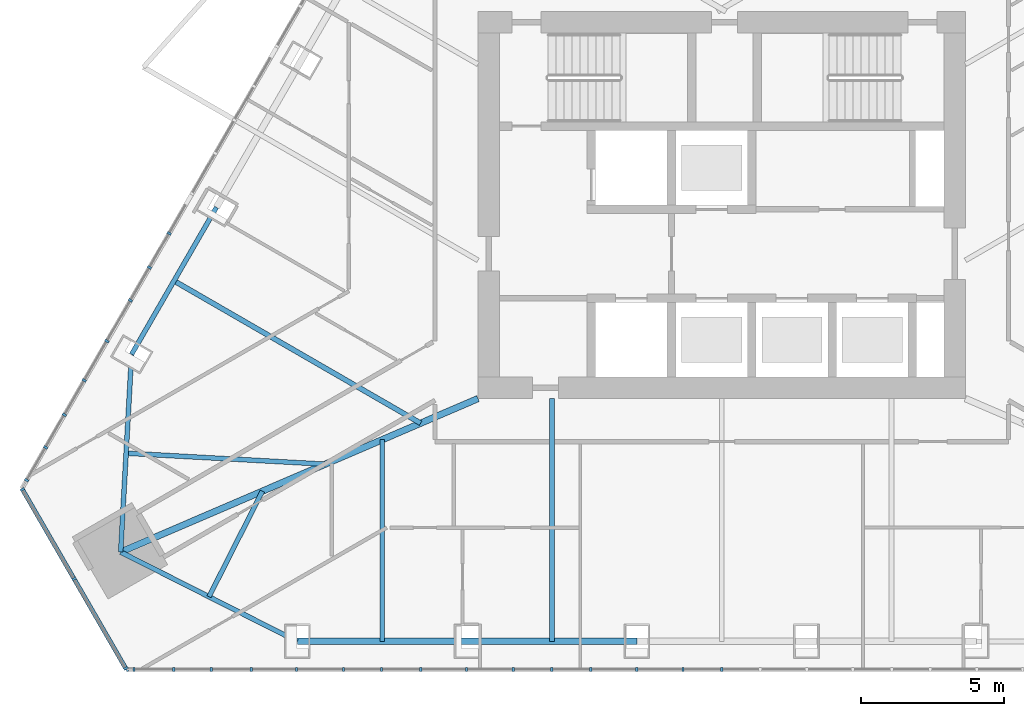
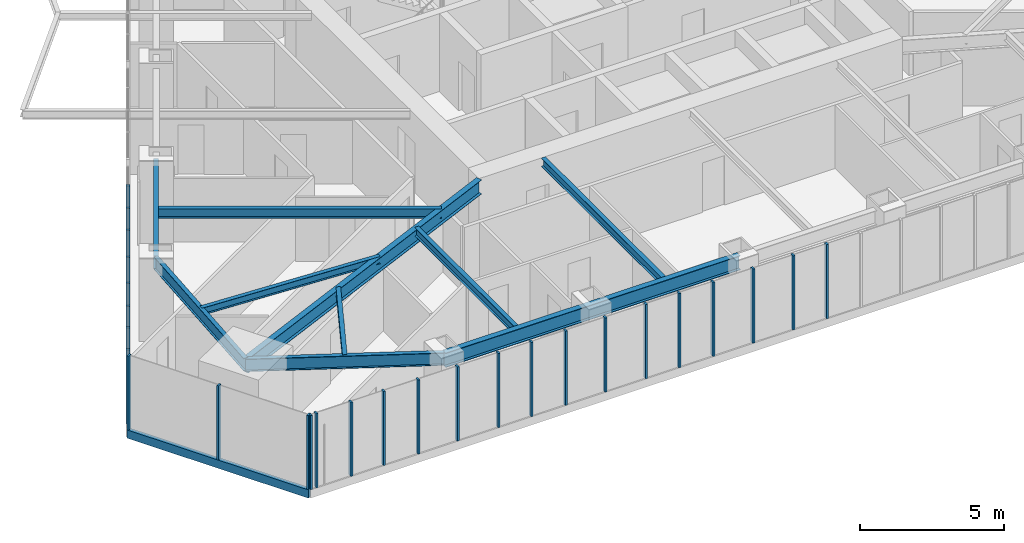
# One storey, part 2 of 19: 28 members, 10 beams, 3 elements without a shape of their own.
"""IFC4 building model written with IfcOpenShell, lengths in metres."""

import ifcopenshell
import ifcopenshell.guid

model = None  # the IFC model being written
_history = None  # IfcOwnerHistory: only IFC2X3 demands one
_inside = {}  # id of a spatial element -> (the spatial element, [elements in it])
_under = {}  # id of a project, library or spatial element -> (it, [spatial elements below it])
_declared = {}  # id of a project -> (the project, [libraries it declares])
_typed = {}  # id of a type object -> (the type object, [elements of that type])
_made_of = {}  # id of a material, layer set ... -> (it, [elements and type objects made of it])


def new_model(schema):
    """Start an empty IFC model of exactly this schema.

    Asked for "IFC4X3", IfcOpenShell would pick the latest addendum, in which some entities
    have other attributes; the version numbers below select the first issue.
    IFC2X3 requires an IfcOwnerHistory on every rooted entity: one is made here for all.
    """
    global model, _history
    if schema == "IFC4X3":
        model = ifcopenshell.file(schema_version=(4, 3, 0, 0))
    else:
        model = ifcopenshell.file(schema=schema)
    _inside.clear()
    _under.clear()
    _declared.clear()
    _typed.clear()
    _made_of.clear()
    _history = None
    if model.schema == "IFC2X3":
        org = make("IfcOrganization", Name="unknown")
        user = make(
            "IfcPersonAndOrganization",
            ThePerson=make("IfcPerson", FamilyName="unknown"),
            TheOrganization=org,
        )
        app = make(
            "IfcApplication",
            ApplicationDeveloper=org,
            Version="unknown",
            ApplicationFullName="unknown",
            ApplicationIdentifier="unknown",
        )
        _history = make(
            "IfcOwnerHistory",
            OwningUser=user,
            OwningApplication=app,
            ChangeAction="ADDED",
            CreationDate=0,
        )
    return model


def make(cls, **values):
    """One entity of the class cls with the attributes given. An attribute that is None is left unset."""
    return model.create_entity(
        cls, **{name: value for name, value in values.items() if value is not None}
    )


def rooted(cls, **values):
    """An entity with a GlobalId (a new one), such as an element, a storey or a relation."""
    return make(cls, GlobalId=ifcopenshell.guid.new(), OwnerHistory=_history, **values)


def si_unit(unit_type, name, prefix=None):
    """IfcSIUnit, for example si_unit("LENGTHUNIT", "METRE", prefix="MILLI")."""
    return make("IfcSIUnit", UnitType=unit_type, Prefix=prefix, Name=name)


def assignment(units):
    """IfcUnitAssignment: the units of a project."""
    return None if units is None else make("IfcUnitAssignment", Units=units)


def point(xyz):
    """IfcCartesianPoint."""
    return None if xyz is None else make("IfcCartesianPoint", Coordinates=xyz)


def direction(xyz):
    """IfcDirection."""
    return None if xyz is None else make("IfcDirection", DirectionRatios=xyz)


def frame(location, z_axis=None, x_axis=None):
    """IfcAxis2Placement3D, a coordinate frame: its origin and axes. An axis left out is left unset."""
    return make(
        "IfcAxis2Placement3D",
        Location=point(location),
        Axis=direction(z_axis),
        RefDirection=direction(x_axis),
    )


def frame_2d(location, x_axis=None):
    """IfcAxis2Placement2D, a coordinate frame in the plane: its origin and x axis."""
    return make(
        "IfcAxis2Placement2D", Location=point(location), RefDirection=direction(x_axis)
    )


def origin():
    """The frame at (0, 0, 0) with its axes left unset."""
    return frame((0.0, 0.0, 0.0))


def origin_2d():
    """The frame at (0, 0) in the plane with its x axis left unset."""
    return frame_2d((0.0, 0.0))


def place(relative_to, where):
    """IfcLocalPlacement: puts the frame where relative to a parent placement (None: the world)."""
    return make(
        "IfcLocalPlacement", PlacementRelTo=relative_to, RelativePlacement=where
    )


def context(
    kind, dimensions, precision=None, world=None, true_north=None, identifier=None
):
    """IfcGeometricRepresentationContext, for example the 3D "Model" context."""
    return make(
        "IfcGeometricRepresentationContext",
        ContextIdentifier=identifier,
        ContextType=kind,
        CoordinateSpaceDimension=dimensions,
        Precision=precision,
        WorldCoordinateSystem=world,
        TrueNorth=true_north,
    )


def subcontext(parent, identifier, kind, view, scale=None):
    """IfcGeometricRepresentationSubContext, for example "Body" below "Model"."""
    return make(
        "IfcGeometricRepresentationSubContext",
        ContextIdentifier=identifier,
        ContextType=kind,
        ParentContext=parent,
        TargetScale=scale,
        TargetView=view,
    )


def project(units=None, contexts=None):
    """IfcProject with its units and contexts."""
    return rooted(
        "IfcProject",
        Name="project",
        RepresentationContexts=contexts,
        UnitsInContext=assignment(units),
    )


def spatial(cls, under=None, at=None, **own):
    """A site, building, storey or space (cls), placed at a placement, below another one or the project."""
    s = rooted(cls, ObjectPlacement=at, **own)
    if under is not None:
        _under.setdefault(under.id(), (under, []))[1].append(s)
    return s


def profile(cls, at=None, kind="AREA", **sizes):
    """A parametric profile (cls). Its sizes go by their IFC names, for example OverallWidth=200.0."""
    return make(cls, ProfileType=kind, Position=at, **sizes)


def rectangle(**sizes):
    """IfcRectangleProfileDef."""
    return profile("IfcRectangleProfileDef", **sizes)


def i_section(**sizes):
    """IfcIShapeProfileDef."""
    return profile("IfcIShapeProfileDef", **sizes)


def extrude(swept, where, along, depth):
    """IfcExtrudedAreaSolid: the profile swept, set in the frame where, extruded along a direction by depth."""
    return make(
        "IfcExtrudedAreaSolid",
        SweptArea=swept,
        Position=where,
        ExtrudedDirection=direction(along),
        Depth=depth,
    )


def shape(context_of_items, identifier, shape_type, items):
    """IfcShapeRepresentation: the items that make up one representation, for example the "Body"."""
    return make(
        "IfcShapeRepresentation",
        ContextOfItems=context_of_items,
        RepresentationIdentifier=identifier,
        RepresentationType=shape_type,
        Items=items,
    )


def material(Name=None, Category=None):
    """IfcMaterial."""
    return make("IfcMaterial", Name=Name, Category=Category)


def layer(
    of_material, thickness, ventilated=None, Name=None, Category=None, Priority=None
):
    """IfcMaterialLayer: one layer of a wall or slab, of a material (None: an air gap)."""
    return make(
        "IfcMaterialLayer",
        Material=of_material,
        LayerThickness=thickness,
        IsVentilated=ventilated,
        Name=Name,
        Category=Category,
        Priority=Priority,
    )


def layer_set(layers, Name=None):
    """IfcMaterialLayerSet."""
    return make("IfcMaterialLayerSet", MaterialLayers=layers, LayerSetName=Name)


def material_profile(
    of_material, cross_section, Name=None, Category=None, Priority=None
):
    """IfcMaterialProfile: a cross section and its material."""
    return make(
        "IfcMaterialProfile",
        Name=Name,
        Material=of_material,
        Profile=cross_section,
        Priority=Priority,
        Category=Category,
    )


def profile_set(profiles, Name=None, composite=None):
    """IfcMaterialProfileSet."""
    return make(
        "IfcMaterialProfileSet",
        Name=Name,
        MaterialProfiles=profiles,
        CompositeProfile=composite,
    )


def made_of(thing, what):
    """Note that an element or type object is made of a material, layer set ...; save() writes the relation."""
    if what is not None:
        _made_of.setdefault(what.id(), (what, []))[1].append(thing)
    return thing


def type_object(cls, material=None, **own):
    """A type object (cls), such as IfcWallType, which elements share."""
    return made_of(rooted(cls, **own), material)


def element(
    cls,
    number,
    at=None,
    inside=None,
    cuts=None,
    type_object=None,
    material=None,
    context=None,
    identifier="Body",
    shape_type=None,
    held_by="IfcProductDefinitionShape",
    body=None,
    shapes=None,
    **own,
):
    """One element of the class cls, such as IfcWall. Its Tag is "e" and its number.

    at: its placement. inside: the storey or other place that contains it. cuts: it is an
    opening in that element (IfcRelVoidsElement). A single representation is given by context,
    identifier, shape_type and body (its items); several are given by shapes. held_by: the class
    of the entity that holds the representations. save() writes the other relations.
    """
    e = rooted(cls, Tag="e%d" % number, ObjectPlacement=at, **own)
    if body is not None:
        shapes = [shape(context, identifier, shape_type, body)]
    if shapes is not None:
        e.Representation = make(held_by, Representations=shapes)
    if inside is not None:
        _inside.setdefault(inside.id(), (inside, []))[1].append(e)
    if cuts is not None:
        rooted(
            "IfcRelVoidsElement", RelatingBuildingElement=cuts, RelatedOpeningElement=e
        )
    if type_object is not None:
        _typed.setdefault(type_object.id(), (type_object, []))[1].append(e)
    return made_of(e, material)


def aggregate(whole, parts):
    """IfcRelAggregates: a whole, such as a stair, and the parts it consists of."""
    return rooted("IfcRelAggregates", RelatingObject=whole, RelatedObjects=parts)


def save(model, path):
    """Write the relations noted so far, then the file.

    IfcRelAggregates (storeys below a building ...), IfcRelContainedInSpatialStructure (elements
    in a storey), IfcRelDefinesByType, IfcRelAssociatesMaterial and IfcRelDeclares: one each for
    every whole, place, type object, material and project.
    """
    for whole, parts in _under.values():
        aggregate(whole, parts)
    for where, things in _inside.values():
        rooted(
            "IfcRelContainedInSpatialStructure",
            RelatedElements=things,
            RelatingStructure=where,
        )
    for kind, things in _typed.values():
        rooted("IfcRelDefinesByType", RelatedObjects=things, RelatingType=kind)
    for what, things in _made_of.values():
        rooted("IfcRelAssociatesMaterial", RelatedObjects=things, RelatingMaterial=what)
    for by, libraries in _declared.values():
        rooted("IfcRelDeclares", RelatingContext=by, RelatedDefinitions=libraries)
    model.write(path)


model = new_model("IFC4")

# Units and contexts
model_context = context("Model", 3, precision=1e-05, world=origin(), true_north=direction((0.0, 1.0)))
body_context = subcontext(model_context, "Body", "Model", "MODEL_VIEW")
ifc_project = project(units=[si_unit("LENGTHUNIT", "METRE"), si_unit("AREAUNIT", "SQUARE_METRE"), si_unit("VOLUMEUNIT", "CUBIC_METRE"), si_unit("PLANEANGLEUNIT", "RADIAN"), si_unit("MASSUNIT", "GRAM", prefix="KILO")], contexts=[model_context])

# Site, building, storey
site_placement = place(None, origin())
site = spatial("IfcSite", under=ifc_project, at=site_placement, CompositionType="ELEMENT")
building_placement = place(site_placement, origin())
building = spatial("IfcBuilding", under=site, at=building_placement, Name="Firuza Gate Tower and Library", CompositionType="ELEMENT")
storey_placement = place(building_placement, frame((0.0, 0.0, 316.10009765625)))
storey = spatial("IfcBuildingStorey", under=building, at=storey_placement, Name="L77", CompositionType="ELEMENT", Elevation=316.10009765625)

# Curtain wall, members
ifc_material_1 = material(Name="Aluminium 6063-T6", Category="aluminium")
ifc_layer_1 = layer(ifc_material_1, 0.14990234375)
ifc_layer_set_1 = layer_set([ifc_layer_1], Name="Unitised curtain wall, residences")
curtain_wall_type_1 = type_object("IfcCurtainWallType", Name="Unitised curtain wall, residences", PredefinedType="NOTDEFINED", material=ifc_layer_set_1)
placement = place(storey_placement, origin())
curtain_wall_1 = element("IfcCurtainWall", 1, at=placement, inside=storey, type_object=curtain_wall_type_1, Name="CW3 L77 S face", PredefinedType="NOTDEFINED")
ifc_material_2 = material(Name="Aluminium 6063-T6", Category="aluminium")
ifc_material_profile_1 = material_profile(ifc_material_2, rectangle(XDim=0.14990234375, YDim=0.080078125, at=origin_2d()))
ifc_profile_set_1 = profile_set([ifc_material_profile_1], Name="Aluminium 6063-T6")
member_type_1 = type_object("IfcMemberType", Name="Curtain wall mullion 80x150", PredefinedType="MULLION", material=ifc_profile_set_1)
member_1_placement = place(storey_placement, frame((54.276611328125, 58.805419921875, 0.14990234375), z_axis=(0.0, 0.0, 1.0), x_axis=(0.0, 1.0, 0.0)))
member_1 = element("IfcMember", 2, at=member_1_placement, type_object=member_type_1, Name="Mullion", PredefinedType="MULLION", context=body_context, shape_type="SweptSolid", body=[
    extrude(rectangle(XDim=0.14990234375, YDim=0.080078125, at=origin_2d()), origin(), (0.0, 0.0, 1.0), 3.14990234375),
])
member_2_placement = place(storey_placement, frame((57.202880859375, 58.805419921875, 0.14990234375), z_axis=(0.0, 0.0, 1.0), x_axis=(0.0, 1.0, 0.0)))
member_2 = element("IfcMember", 3, at=member_2_placement, type_object=member_type_1, Name="Mullion", PredefinedType="MULLION", context=body_context, shape_type="SweptSolid", body=[
    extrude(rectangle(XDim=0.14990234375, YDim=0.080078125, at=origin_2d()), origin(), (0.0, 0.0, 1.0), 3.14990234375),
])
member_3_placement = place(storey_placement, frame((60.169189453125, 58.805419921875, 0.14990234375), z_axis=(0.0, 0.0, 1.0), x_axis=(0.0, 1.0, 0.0)))
member_3 = element("IfcMember", 4, at=member_3_placement, type_object=member_type_1, Name="Mullion", PredefinedType="MULLION", context=body_context, shape_type="SweptSolid", body=[
    extrude(rectangle(XDim=0.14990234375, YDim=0.080078125, at=origin_2d()), origin(), (0.0, 0.0, 1.0), 3.14990234375),
])
member_4_placement = place(storey_placement, frame((63.13525390625, 58.805419921875, 0.14990234375), z_axis=(0.0, 0.0, 1.0), x_axis=(0.0, 1.0, 0.0)))
member_4 = element("IfcMember", 5, at=member_4_placement, type_object=member_type_1, Name="Mullion", PredefinedType="MULLION", context=body_context, shape_type="SweptSolid", body=[
    extrude(rectangle(XDim=0.14990234375, YDim=0.080078125, at=origin_2d()), origin(), (0.0, 0.0, 1.0), 3.14990234375),
])
member_5_placement = place(storey_placement, frame((66.1015625, 58.805419921875, 0.14990234375), z_axis=(0.0, 0.0, 1.0), x_axis=(0.0, 1.0, 0.0)))
member_5 = element("IfcMember", 6, at=member_5_placement, type_object=member_type_1, Name="Mullion", PredefinedType="MULLION", context=body_context, shape_type="SweptSolid", body=[
    extrude(rectangle(XDim=0.14990234375, YDim=0.080078125, at=origin_2d()), origin(), (0.0, 0.0, 1.0), 3.14990234375),
])
member_6_placement = place(storey_placement, frame((69.067626953125, 58.805419921875, 0.14990234375), z_axis=(0.0, 0.0, 1.0), x_axis=(0.0, 1.0, 0.0)))
member_6 = element("IfcMember", 7, at=member_6_placement, type_object=member_type_1, Name="Mullion", PredefinedType="MULLION", context=body_context, shape_type="SweptSolid", body=[
    extrude(rectangle(XDim=0.14990234375, YDim=0.080078125, at=origin_2d()), origin(), (0.0, 0.0, 1.0), 3.14990234375),
])
member_7_placement = place(storey_placement, frame((72.033935546875, 58.805419921875, 0.14990234375), z_axis=(0.0, 0.0, 1.0), x_axis=(0.0, 1.0, 0.0)))
member_7 = element("IfcMember", 8, at=member_7_placement, type_object=member_type_1, Name="Mullion", PredefinedType="MULLION", context=body_context, shape_type="SweptSolid", body=[
    extrude(rectangle(XDim=0.14990234375, YDim=0.080078125, at=origin_2d()), origin(), (0.0, 0.0, 1.0), 3.14990234375),
])
member_8_placement = place(storey_placement, frame((75.0, 58.805419921875, 0.14990234375), z_axis=(0.0, 0.0, 1.0), x_axis=(0.0, 1.0, 0.0)))
member_8 = element("IfcMember", 9, at=member_8_placement, type_object=member_type_1, Name="Mullion", PredefinedType="MULLION", context=body_context, shape_type="SweptSolid", body=[
    extrude(rectangle(XDim=0.14990234375, YDim=0.080078125, at=origin_2d()), origin(), (0.0, 0.0, 1.0), 3.14990234375),
])
member_9_placement = place(storey_placement, frame((54.502685546875, 58.805419921875, 0.14990234375), z_axis=(0.0, 0.0, 1.0), x_axis=(0.0, 1.0, 0.0)))
member_9 = element("IfcMember", 10, at=member_9_placement, type_object=member_type_1, Name="Mullion", PredefinedType="MULLION", context=body_context, shape_type="SweptSolid", body=[
    extrude(rectangle(XDim=0.14990234375, YDim=0.080078125, at=origin_2d()), origin(), (0.0, 0.0, 1.0), 3.14990234375),
])
member_10_placement = place(storey_placement, frame((55.89111328125, 58.805419921875, 0.14990234375), z_axis=(0.0, 0.0, 1.0), x_axis=(0.0, 1.0, 0.0)))
member_10 = element("IfcMember", 11, at=member_10_placement, type_object=member_type_1, Name="Mullion", PredefinedType="MULLION", context=body_context, shape_type="SweptSolid", body=[
    extrude(rectangle(XDim=0.14990234375, YDim=0.080078125, at=origin_2d()), origin(), (0.0, 0.0, 1.0), 3.14990234375),
])
member_11_placement = place(storey_placement, frame((58.5888671875, 58.805419921875, 0.14990234375), z_axis=(0.0, 0.0, 1.0), x_axis=(0.0, 1.0, 0.0)))
member_11 = element("IfcMember", 12, at=member_11_placement, type_object=member_type_1, Name="Mullion", PredefinedType="MULLION", context=body_context, shape_type="SweptSolid", body=[
    extrude(rectangle(XDim=0.14990234375, YDim=0.080078125, at=origin_2d()), origin(), (0.0, 0.0, 1.0), 3.14990234375),
])
member_12_placement = place(storey_placement, frame((61.81103515625, 58.805419921875, 0.14990234375), z_axis=(0.0, 0.0, 1.0), x_axis=(0.0, 1.0, 0.0)))
member_12 = element("IfcMember", 13, at=member_12_placement, type_object=member_type_1, Name="Mullion", PredefinedType="MULLION", context=body_context, shape_type="SweptSolid", body=[
    extrude(rectangle(XDim=0.14990234375, YDim=0.080078125, at=origin_2d()), origin(), (0.0, 0.0, 1.0), 3.14990234375),
])
member_13_placement = place(storey_placement, frame((64.5087890625, 58.805419921875, 0.14990234375), z_axis=(0.0, 0.0, 1.0), x_axis=(0.0, 1.0, 0.0)))
member_13 = element("IfcMember", 14, at=member_13_placement, type_object=member_type_1, Name="Mullion", PredefinedType="MULLION", context=body_context, shape_type="SweptSolid", body=[
    extrude(rectangle(XDim=0.14990234375, YDim=0.080078125, at=origin_2d()), origin(), (0.0, 0.0, 1.0), 3.14990234375),
])
member_14_placement = place(storey_placement, frame((67.731201171875, 58.805419921875, 0.14990234375), z_axis=(0.0, 0.0, 1.0), x_axis=(0.0, 1.0, 0.0)))
member_14 = element("IfcMember", 15, at=member_14_placement, type_object=member_type_1, Name="Mullion", PredefinedType="MULLION", context=body_context, shape_type="SweptSolid", body=[
    extrude(rectangle(XDim=0.14990234375, YDim=0.080078125, at=origin_2d()), origin(), (0.0, 0.0, 1.0), 3.14990234375),
])
member_15_placement = place(storey_placement, frame((70.428955078125, 58.805419921875, 0.14990234375), z_axis=(0.0, 0.0, 1.0), x_axis=(0.0, 1.0, 0.0)))
member_15 = element("IfcMember", 16, at=member_15_placement, type_object=member_type_1, Name="Mullion", PredefinedType="MULLION", context=body_context, shape_type="SweptSolid", body=[
    extrude(rectangle(XDim=0.14990234375, YDim=0.080078125, at=origin_2d()), origin(), (0.0, 0.0, 1.0), 3.14990234375),
])
member_16_placement = place(storey_placement, frame((73.651123046875, 58.805419921875, 0.14990234375), z_axis=(0.0, 0.0, 1.0), x_axis=(0.0, 1.0, 0.0)))
member_16 = element("IfcMember", 17, at=member_16_placement, type_object=member_type_1, Name="Mullion", PredefinedType="MULLION", context=body_context, shape_type="SweptSolid", body=[
    extrude(rectangle(XDim=0.14990234375, YDim=0.080078125, at=origin_2d()), origin(), (0.0, 0.0, 1.0), 3.14990234375),
])
aggregate(curtain_wall_1, [member_1, member_2, member_3, member_4, member_5, member_6, member_7, member_8, member_9, member_10, member_11, member_12, member_13, member_14, member_15, member_16])

curtain_wall_2 = element("IfcCurtainWall", 18, at=placement, inside=storey, type_object=curtain_wall_type_1, Name="CW3 L77 W face", PredefinedType="NOTDEFINED")
member_17_placement = place(storey_placement, frame((55.042724609375, 72.822021484375, 0.14990234375), z_axis=(0.0, 0.0, 1.0), x_axis=(0.866025403784, -0.5, 0.0)))
member_17 = element("IfcMember", 19, at=member_17_placement, type_object=member_type_1, Name="Mullion", PredefinedType="MULLION", context=body_context, shape_type="SweptSolid", body=[
    extrude(rectangle(XDim=0.14990234375, YDim=0.080078125, at=origin_2d()), origin(), (0.0, 0.0, 1.0), 3.14990234375),
])
member_18_placement = place(storey_placement, frame((53.5595703125, 70.25341796875, 0.14990234375), z_axis=(0.0, 0.0, 1.0), x_axis=(0.866025403784, -0.5, 0.0)))
member_18 = element("IfcMember", 20, at=member_18_placement, type_object=member_type_1, Name="Mullion", PredefinedType="MULLION", context=body_context, shape_type="SweptSolid", body=[
    extrude(rectangle(XDim=0.14990234375, YDim=0.080078125, at=origin_2d()), origin(), (0.0, 0.0, 1.0), 3.14990234375),
])
member_19_placement = place(storey_placement, frame((52.076416015625, 67.6845703125, 0.14990234375), z_axis=(0.0, 0.0, 1.0), x_axis=(0.866025403784, -0.5, 0.0)))
member_19 = element("IfcMember", 21, at=member_19_placement, type_object=member_type_1, Name="Mullion", PredefinedType="MULLION", context=body_context, shape_type="SweptSolid", body=[
    extrude(rectangle(XDim=0.14990234375, YDim=0.080078125, at=origin_2d()), origin(), (0.0, 0.0, 1.0), 3.14990234375),
])
member_20_placement = place(storey_placement, frame((55.7294921875, 74.01171875, 0.14990234375), z_axis=(0.0, 0.0, 1.0), x_axis=(0.866025403784, -0.5, 0.0)))
member_20 = element("IfcMember", 22, at=member_20_placement, type_object=member_type_1, Name="Mullion", PredefinedType="MULLION", context=body_context, shape_type="SweptSolid", body=[
    extrude(rectangle(XDim=0.14990234375, YDim=0.080078125, at=origin_2d()), origin(), (0.0, 0.0, 1.0), 3.14990234375),
])
member_21_placement = place(storey_placement, frame((54.380615234375, 71.67529296875, 0.14990234375), z_axis=(0.0, 0.0, 1.0), x_axis=(0.866025403784, -0.5, 0.0)))
member_21 = element("IfcMember", 23, at=member_21_placement, type_object=member_type_1, Name="Mullion", PredefinedType="MULLION", context=body_context, shape_type="SweptSolid", body=[
    extrude(rectangle(XDim=0.14990234375, YDim=0.080078125, at=origin_2d()), origin(), (0.0, 0.0, 1.0), 3.14990234375),
])
member_22_placement = place(storey_placement, frame((52.76953125, 68.884765625, 0.14990234375), z_axis=(0.0, 0.0, 1.0), x_axis=(0.866025403784, -0.5, 0.0)))
member_22 = element("IfcMember", 24, at=member_22_placement, type_object=member_type_1, Name="Mullion", PredefinedType="MULLION", context=body_context, shape_type="SweptSolid", body=[
    extrude(rectangle(XDim=0.14990234375, YDim=0.080078125, at=origin_2d()), origin(), (0.0, 0.0, 1.0), 3.14990234375),
])
member_23_placement = place(storey_placement, frame((51.420654296875, 66.548583984375, 0.14990234375), z_axis=(0.0, 0.0, 1.0), x_axis=(0.866025403784, -0.5, 0.0)))
member_23 = element("IfcMember", 25, at=member_23_placement, type_object=member_type_1, Name="Mullion", PredefinedType="MULLION", context=body_context, shape_type="SweptSolid", body=[
    extrude(rectangle(XDim=0.14990234375, YDim=0.080078125, at=origin_2d()), origin(), (0.0, 0.0, 1.0), 3.14990234375),
])
member_24_placement = place(storey_placement, frame((50.759033203125, 65.402587890625, 0.14990234375), z_axis=(0.0, 0.0, 1.0), x_axis=(0.866025403784, -0.5, 0.0)))
member_24 = element("IfcMember", 26, at=member_24_placement, type_object=member_type_1, Name="Mullion", PredefinedType="MULLION", context=body_context, shape_type="SweptSolid", body=[
    extrude(rectangle(XDim=0.14990234375, YDim=0.080078125, at=origin_2d()), origin(), (0.0, 0.0, 1.0), 3.14990234375),
])
aggregate(curtain_wall_2, [member_17, member_18, member_19, member_20, member_21, member_22, member_23, member_24])

ifc_material_3 = material(Name="Aluminium 6063-T6", Category="aluminium")
ifc_layer_2 = layer(ifc_material_3, 0.14990234375)
ifc_layer_set_2 = layer_set([ifc_layer_2], Name="Corner curtain wall, chamfers")
curtain_wall_type_2 = type_object("IfcCurtainWallType", Name="Corner curtain wall, chamfers", PredefinedType="NOTDEFINED", material=ifc_layer_set_2)
curtain_wall_3 = element("IfcCurtainWall", 27, at=placement, inside=storey, type_object=curtain_wall_type_2, Name="CW4 L77 SW corner", PredefinedType="NOTDEFINED")
member_25_placement = place(storey_placement, frame((50.61328125, 65.0810546875, 0.14990234375), z_axis=(0.0, 0.0, 1.0), x_axis=(0.866025403784, 0.5, 0.0)))
member_25 = element("IfcMember", 28, at=member_25_placement, type_object=member_type_1, Name="Mullion", PredefinedType="MULLION", context=body_context, shape_type="SweptSolid", body=[
    extrude(rectangle(XDim=0.14990234375, YDim=0.080078125, at=origin_2d()), origin(), (0.0, 0.0, 1.0), 3.14990234375),
])
member_26_placement = place(storey_placement, frame((52.4150390625, 61.960693359375, 0.14990234375), z_axis=(0.0, 0.0, 1.0), x_axis=(0.866025403784, 0.5, 0.0)))
member_26 = element("IfcMember", 29, at=member_26_placement, type_object=member_type_1, Name="Mullion", PredefinedType="MULLION", context=body_context, shape_type="SweptSolid", body=[
    extrude(rectangle(XDim=0.14990234375, YDim=0.080078125, at=origin_2d()), origin(), (0.0, 0.0, 1.0), 3.14990234375),
])
member_27_placement = place(storey_placement, frame((54.216796875, 58.840087890625, 0.14990234375), z_axis=(0.0, 0.0, 1.0), x_axis=(0.866025403784, 0.5, 0.0)))
member_27 = element("IfcMember", 30, at=member_27_placement, type_object=member_type_1, Name="Mullion", PredefinedType="MULLION", context=body_context, shape_type="SweptSolid", body=[
    extrude(rectangle(XDim=0.14990234375, YDim=0.080078125, at=origin_2d()), origin(), (0.0, 0.0, 1.0), 3.14990234375),
])
ifc_material_4 = material(Name="Aluminium 6063-T6", Category="aluminium")
ifc_material_profile_2 = material_profile(ifc_material_4, rectangle(XDim=0.14990234375, YDim=0.35009765625, at=origin_2d()))
ifc_profile_set_2 = profile_set([ifc_material_profile_2], Name="Aluminium 6063-T6")
member_type_2 = type_object("IfcMemberType", Name="Curtain wall transom 350x150", PredefinedType="USERDEFINED", material=ifc_profile_set_2)
member_28_placement = place(storey_placement, frame((50.593505859375, 65.11572265625, -0.025146484375), z_axis=(0.500005719219, -0.866022101766, 0.0), x_axis=(0.866022101766, 0.500005719219, 0.0)))
member_28 = element("IfcMember", 31, at=member_28_placement, type_object=member_type_2, Name="Transom", ObjectType="TRANSOM", PredefinedType="USERDEFINED", context=body_context, shape_type="SweptSolid", body=[
    extrude(rectangle(XDim=0.14990234375, YDim=0.35009765625, at=origin_2d()), origin(), (0.0, 0.0, 1.0), 7.28662109375),
])
aggregate(curtain_wall_3, [member_25, member_26, member_27, member_28])

# Beams
ifc_material_5 = material(Name="Steel S355", Category="steel")
ifc_material_profile_3 = material_profile(ifc_material_5, i_section(OverallWidth=0.1650390625, OverallDepth=0.31005859375, WebThickness=0.005859375, FlangeThickness=0.009765625, at=origin_2d()))
ifc_profile_set_3 = profile_set([ifc_material_profile_3], Name="Steel S355")
beam_type_1 = type_object("IfcBeamType", Name="W310x39 Floor beam", PredefinedType="JOIST", material=ifc_profile_set_3)
beam_1_placement = place(storey_placement, frame((54.229248046875, 66.345458984375, 3.14501953125), z_axis=(0.998479843112, -0.055118081421, 0.0), x_axis=(0.055118081421, 0.998479843112, 0.0)))
element("IfcBeam", 32, at=beam_1_placement, inside=storey, type_object=beam_type_1, Name="Floor beam L77 s00", PredefinedType="JOIST", context=body_context, shape_type="SweptSolid", body=[
    extrude(i_section(OverallWidth=0.1650390625, OverallDepth=0.31005859375, WebThickness=0.005859375, FlangeThickness=0.009765625, at=origin_2d()), origin(), (0.0, 0.0, 1.0), 6.9541015625),
])
beam_2_placement = place(storey_placement, frame((57.119384765625, 61.339111328125, 3.14501953125), z_axis=(0.451491484808, 0.892275427851, 0.0), x_axis=(-0.892275427851, 0.451491484808, 0.0)))
element("IfcBeam", 33, at=beam_2_placement, inside=storey, type_object=beam_type_1, Name="Floor beam L77 s10", PredefinedType="JOIST", context=body_context, shape_type="SweptSolid", body=[
    extrude(i_section(OverallWidth=0.1650390625, OverallDepth=0.31005859375, WebThickness=0.005859375, FlangeThickness=0.009765625, at=origin_2d()), origin(), (0.0, 0.0, 1.0), 4.126953125),
])
ifc_material_6 = material(Name="Steel S355", Category="steel")
ifc_material_profile_4 = material_profile(ifc_material_6, i_section(OverallWidth=0.1708984375, OverallDepth=0.35498046875, WebThickness=0.007080078125, FlangeThickness=0.01171875, at=origin_2d()))
ifc_profile_set_4 = profile_set([ifc_material_profile_4], Name="Steel S355")
beam_type_2 = type_object("IfcBeamType", Name="W360x51 Floor beam", PredefinedType="JOIST", material=ifc_profile_set_4)
beam_3_placement = place(storey_placement, frame((63.159912109375, 59.7802734375, 3.122314453125), z_axis=(0.0, 1.0, 0.0), x_axis=(-1.0, 0.0, 0.0)))
element("IfcBeam", 34, at=beam_3_placement, inside=storey, type_object=beam_type_2, Name="Floor beam L77 s20", PredefinedType="JOIST", context=body_context, shape_type="SweptSolid", body=[
    extrude(i_section(OverallWidth=0.1708984375, OverallDepth=0.35498046875, WebThickness=0.007080078125, FlangeThickness=0.01171875, at=origin_2d()), origin(), (0.0, 0.0, 1.0), 7.03515625),
])
beam_4_placement = place(storey_placement, frame((69.080078125, 59.7802734375, 3.122314453125), z_axis=(0.0, 1.0, 0.0), x_axis=(-1.0, 0.0, 0.0)))
element("IfcBeam", 35, at=beam_4_placement, inside=storey, type_object=beam_type_2, Name="Floor beam L77 s21", PredefinedType="JOIST", context=body_context, shape_type="SweptSolid", body=[
    extrude(i_section(OverallWidth=0.1708984375, OverallDepth=0.35498046875, WebThickness=0.007080078125, FlangeThickness=0.01171875, at=origin_2d()), origin(), (0.0, 0.0, 1.0), 8.4697265625),
])
ifc_material_7 = material(Name="Steel S355", Category="steel")
ifc_material_profile_5 = material_profile(ifc_material_7, i_section(OverallWidth=0.177978515625, OverallDepth=0.406982421875, WebThickness=0.0078125, FlangeThickness=0.0126953125, at=origin_2d()))
ifc_profile_set_5 = profile_set([ifc_material_profile_5], Name="Steel S355")
beam_type_3 = type_object("IfcBeamType", Name="W410x60 Floor beam", PredefinedType="JOIST", material=ifc_profile_set_5)
beam_5_placement = place(storey_placement, frame((55.8994140625, 72.35595703125, 3.096435546875), z_axis=(0.866033287653, -0.49998634449, 0.0), x_axis=(0.49998634449, 0.866033287653, 0.0)))
element("IfcBeam", 36, at=beam_5_placement, inside=storey, type_object=beam_type_3, Name="Floor beam L77 s84", PredefinedType="JOIST", context=body_context, shape_type="SweptSolid", body=[
    extrude(i_section(OverallWidth=0.177978515625, OverallDepth=0.406982421875, WebThickness=0.0078125, FlangeThickness=0.0126953125, at=origin_2d()), origin(), (0.0, 0.0, 1.0), 9.930419921875),
])
ifc_material_8 = material(Name="Steel S355", Category="steel")
ifc_material_profile_6 = material_profile(ifc_material_8, i_section(OverallWidth=0.166015625, OverallDepth=0.534912109375, WebThickness=0.01025390625, FlangeThickness=0.0166015625, at=origin_2d()))
ifc_profile_set_6 = profile_set([ifc_material_profile_6], Name="Steel S355")
beam_type_4 = type_object("IfcBeamType", Name="W530x85 Edge beam", PredefinedType="SPANDREL", material=ifc_profile_set_6)
for number, where, z_axis, x_axis, name in (
    (37, (54.41943359375, 69.792724609375, 3.032470703125), (-0.055121451324, -0.998479657081, 0.0), (0.998479657081, -0.055121451324, 0.0), "Edge beam L77 e00"),
    (38, (54.038818359375, 62.898193359375, 3.032470703125), (0.89225291274, -0.451535978309, 0.0), (0.451535978309, 0.89225291274, 0.0), "Edge beam L77 e10"),
):
    element("IfcBeam", number, at=place(storey_placement, frame(where, z_axis=z_axis, x_axis=x_axis)), inside=storey, type_object=beam_type_4, Name=name, PredefinedType="SPANDREL", context=body_context, shape_type="SweptSolid", body=[
        extrude(i_section(OverallWidth=0.166015625, OverallDepth=0.534912109375, WebThickness=0.01025390625, FlangeThickness=0.0166015625, at=origin_2d()), origin(), (0.0, 0.0, 1.0), 6.905029296875),
    ])
beam_6_placement = place(storey_placement, frame((57.37939453125, 74.91943359375, 3.032470703125), z_axis=(-0.500006857261, -0.866021444707, 0.0), x_axis=(0.866021444707, -0.500006857261, 0.0)))
element("IfcBeam", 39, at=beam_6_placement, inside=storey, type_object=beam_type_4, Name="Edge beam L77 e84", PredefinedType="SPANDREL", context=body_context, shape_type="SweptSolid", body=[
    extrude(i_section(OverallWidth=0.166015625, OverallDepth=0.534912109375, WebThickness=0.01025390625, FlangeThickness=0.0166015625, at=origin_2d()), origin(), (0.0, 0.0, 1.0), 5.919921875),
])
ifc_material_9 = material(Name="Steel S355", Category="steel")
ifc_material_profile_7 = material_profile(ifc_material_9, i_section(OverallWidth=0.22802734375, OverallDepth=0.60302734375, WebThickness=0.010498046875, FlangeThickness=0.014892578125, at=origin_2d()))
ifc_profile_set_7 = profile_set([ifc_material_profile_7], Name="Steel S355")
beam_type_5 = type_object("IfcBeamType", Name="W610x101 Girder", PredefinedType="BEAM", material=ifc_profile_set_7)
beam_7_placement = place(storey_placement, frame((54.038818359375, 62.898193359375, 2.998291015625), z_axis=(0.918843070784, 0.394623125618, 0.0), x_axis=(-0.394623125618, 0.918843070784, 0.0)))
element("IfcBeam", 40, at=beam_7_placement, inside=storey, type_object=beam_type_5, Name="Girder L77 gSW", PredefinedType="BEAM", context=body_context, shape_type="SweptSolid", body=[
    extrude(i_section(OverallWidth=0.22802734375, OverallDepth=0.60302734375, WebThickness=0.010498046875, FlangeThickness=0.014892578125, at=origin_2d()), origin(), (0.0, 0.0, 1.0), 13.561767578125),
])
ifc_material_10 = material(Name="Steel S355", Category="steel")
ifc_material_profile_8 = material_profile(ifc_material_10, i_section(OverallWidth=0.22900390625, OverallDepth=0.612060546875, WebThickness=0.011962890625, FlangeThickness=0.01953125, at=origin_2d()))
ifc_profile_set_8 = profile_set([ifc_material_profile_8], Name="Steel S355")
beam_type_6 = type_object("IfcBeamType", Name="W610x125 Edge beam", PredefinedType="SPANDREL", material=ifc_profile_set_8)
beam_8_placement = place(storey_placement, frame((60.199951171875, 59.7802734375, 2.993896484375), z_axis=(1.0, 0.0, 0.0), x_axis=(0.0, 1.0, 0.0)))
element("IfcBeam", 41, at=beam_8_placement, inside=storey, type_object=beam_type_6, Name="Edge beam L77 e20", PredefinedType="SPANDREL", context=body_context, shape_type="SweptSolid", body=[
    extrude(i_section(OverallWidth=0.22900390625, OverallDepth=0.612060546875, WebThickness=0.011962890625, FlangeThickness=0.01953125, at=origin_2d()), origin(), (0.0, 0.0, 1.0), 11.840087890625),
])

save(model, "model.ifc")
